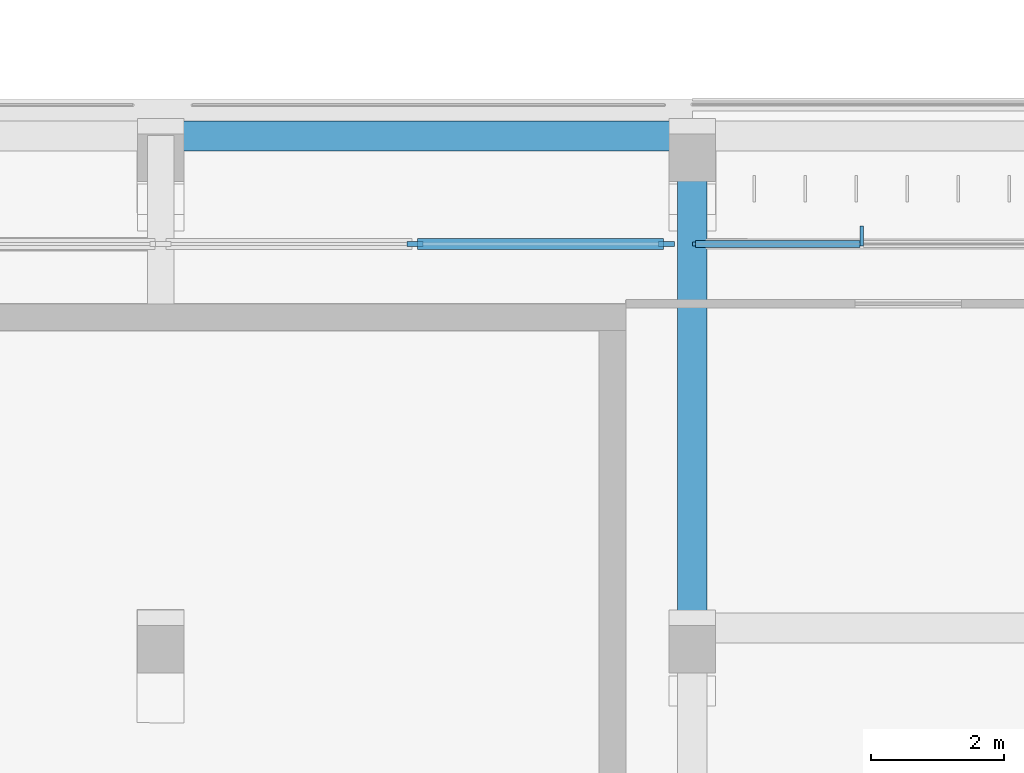
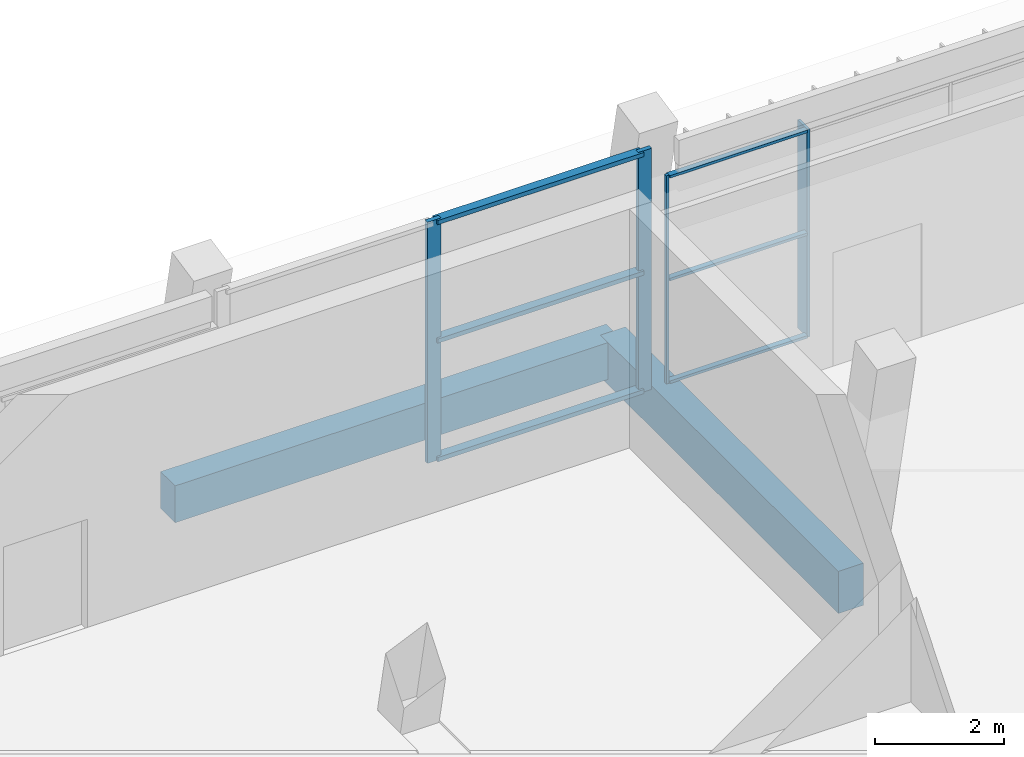
# One storey, part 11 of 74: 10 members, 2 beams, 2 elements without a shape of their own.
"""IFC4 building model written with IfcOpenShell, lengths in metres."""

from ifc_helpers import new_model, si_unit, direction, frame, origin, origin_2d, place, context, subcontext, project, spatial, rectangle, extrude, material, material_profile, profile_set, type_object, element, aggregate, save


model = new_model("IFC4")

# Units and contexts
model_context = context("Model", 3, precision=1e-05, world=origin(), true_north=direction((0.0, 1.0)))
body_context = subcontext(model_context, "Body", "Model", "MODEL_VIEW")
ifc_project = project(units=[si_unit("LENGTHUNIT", "METRE"), si_unit("AREAUNIT", "SQUARE_METRE"), si_unit("VOLUMEUNIT", "CUBIC_METRE"), si_unit("PLANEANGLEUNIT", "RADIAN"), si_unit("MASSUNIT", "GRAM", prefix="KILO")], contexts=[model_context])

# Site, building, storey
site_placement = place(None, origin())
site = spatial("IfcSite", under=ifc_project, at=site_placement, CompositionType="ELEMENT")
building_placement = place(site_placement, origin())
building = spatial("IfcBuilding", under=site, at=building_placement, Name="Lantern Court Media Centre", CompositionType="ELEMENT")
storey_placement = place(building_placement, frame((0.0, 0.0, 19.199951171875)))
storey = spatial("IfcBuildingStorey", under=building, at=storey_placement, Name="L04", CompositionType="ELEMENT", Elevation=19.199951171875)

# Curtain wall, members
ifc_material_1 = material(Name="Curtain wall bay 2400")
curtain_wall_type_1 = type_object("IfcCurtainWallType", Name="Curtain wall bay 2400", PredefinedType="NOTDEFINED", material=ifc_material_1)
curtain_wall_1_placement = place(storey_placement, origin())
curtain_wall_1 = element("IfcCurtainWall", 1, at=curtain_wall_1_placement, inside=storey, type_object=curtain_wall_type_1, Name="Curtain wall S inner L04", PredefinedType="NOTDEFINED")
ifc_material_2 = material(Name="Anodised aluminium", Category="aluminium")
ifc_material_profile_1 = material_profile(ifc_material_2, rectangle(XDim=0.300048828125, YDim=0.050048828125, at=origin_2d()), Name="AL 50x300")
ifc_profile_set_1 = profile_set([ifc_material_profile_1], Name="Anodised aluminium")
member_type_1 = type_object("IfcMemberType", Name="Curtain wall mullion 50x300", PredefinedType="MULLION", material=ifc_profile_set_1)
member_1_placement = place(storey_placement, frame((66.550048828125, 57.969970703125, 0.0), z_axis=(0.0, 0.0, 1.0), x_axis=(0.0, 1.0, 0.0)))
member_1 = element("IfcMember", 2, at=member_1_placement, type_object=member_type_1, Name="CW2 mullion 2", PredefinedType="MULLION", context=body_context, shape_type="SweptSolid", body=[
    extrude(rectangle(XDim=0.300048828125, YDim=0.050048828125, at=origin_2d()), origin(), (0.0, 0.0, 1.0), 3.949951171875),
])
ifc_material_profile_2 = material_profile(ifc_material_2, rectangle(XDim=0.06005859375, YDim=0.050048828125, at=origin_2d()), Name="AL 50x60")
ifc_profile_set_2 = profile_set([ifc_material_profile_2], Name="Anodised aluminium")
member_type_2 = type_object("IfcMemberType", Name="Curtain wall mullion 50x60", PredefinedType="MULLION", material=ifc_profile_set_2)
member_2_placement = place(storey_placement, frame((64.02490234375, 57.85009765625, 0.0), z_axis=(0.0, 0.0, 1.0), x_axis=(0.0, 1.0, 0.0)))
member_2 = element("IfcMember", 3, at=member_2_placement, type_object=member_type_2, Name="CW2 mullion 1", PredefinedType="MULLION", context=body_context, shape_type="SweptSolid", body=[
    extrude(rectangle(XDim=0.06005859375, YDim=0.050048828125, at=origin_2d()), origin(), (0.0, 0.0, 1.0), 3.949951171875),
])

ifc_material_3 = material(Name="Curtain wall bay 4000")
curtain_wall_type_2 = type_object("IfcCurtainWallType", Name="Curtain wall bay 4000", PredefinedType="NOTDEFINED", material=ifc_material_3)
curtain_wall_2_placement = place(storey_placement, origin())
curtain_wall_2 = element("IfcCurtainWall", 4, at=curtain_wall_2_placement, inside=storey, type_object=curtain_wall_type_2, Name="Curtain wall S inner L04", PredefinedType="NOTDEFINED")
ifc_material_profile_3 = material_profile(ifc_material_2, rectangle(XDim=0.080078125, YDim=0.239990234375, at=origin_2d()), Name="AL 80x240")
ifc_profile_set_3 = profile_set([ifc_material_profile_3], Name="Anodised aluminium")
member_type_3 = type_object("IfcMemberType", Name="Curtain wall mullion 80x240", PredefinedType="MULLION", material=ifc_profile_set_3)
member_3_placement = place(storey_placement, frame((59.824951171875, 57.85009765625, 0.0), z_axis=(0.0, 0.0, 1.0), x_axis=(0.0, 1.0, 0.0)))
member_3 = element("IfcMember", 5, at=member_3_placement, type_object=member_type_3, Name="CW3 mullion 2", PredefinedType="MULLION", context=body_context, shape_type="SweptSolid", body=[
    extrude(rectangle(XDim=0.080078125, YDim=0.239990234375, at=origin_2d()), origin(), (0.0, 0.0, 1.0), 4.580078125),
])
member_4_placement = place(storey_placement, frame((63.610107421875, 57.85009765625, 0.0), z_axis=(0.0, 0.0, 1.0), x_axis=(0.0, 1.0, 0.0)))
member_4 = element("IfcMember", 6, at=member_4_placement, type_object=member_type_3, Name="CW3 mullion 3", PredefinedType="MULLION", context=body_context, shape_type="SweptSolid", body=[
    extrude(rectangle(XDim=0.080078125, YDim=0.239990234375, at=origin_2d()), origin(), (0.0, 0.0, 1.0), 4.580078125),
])

# Member
ifc_material_profile_4 = material_profile(ifc_material_2, rectangle(XDim=0.10009765625, YDim=0.050048828125, at=origin_2d()), Name="AL 50x100")
ifc_profile_set_4 = profile_set([ifc_material_profile_4], Name="Anodised aluminium")
member_type_4 = type_object("IfcMemberType", Name="Curtain wall transom 100x50", PredefinedType="USERDEFINED", material=ifc_profile_set_4)
member_5_placement = place(storey_placement, frame((64.050048828125, 57.85009765625, 0.025146484375), z_axis=(1.0, 0.0, 0.0), x_axis=(0.0, 1.0, 0.0)))
member_5 = element("IfcMember", 7, at=member_5_placement, type_object=member_type_4, Name="CW2 transom 1.1", ObjectType="TRANSOM", PredefinedType="USERDEFINED", context=body_context, shape_type="SweptSolid", body=[
    extrude(rectangle(XDim=0.10009765625, YDim=0.050048828125, at=origin_2d()), origin(), (0.0, 0.0, 1.0), 2.474853515625),
])

member_6_placement = place(storey_placement, frame((64.050048828125, 57.85009765625, 1.97509765625), z_axis=(1.0, 0.0, 0.0), x_axis=(0.0, 1.0, 0.0)))
member_6 = element("IfcMember", 8, at=member_6_placement, type_object=member_type_4, Name="CW2 transom 1.2", ObjectType="TRANSOM", PredefinedType="USERDEFINED", context=body_context, shape_type="SweptSolid", body=[
    extrude(rectangle(XDim=0.10009765625, YDim=0.050048828125, at=origin_2d()), origin(), (0.0, 0.0, 1.0), 2.474853515625),
])

member_7_placement = place(storey_placement, frame((64.050048828125, 57.85009765625, 3.925048828125), z_axis=(1.0, 0.0, 0.0), x_axis=(0.0, 1.0, 0.0)))
member_7 = element("IfcMember", 9, at=member_7_placement, type_object=member_type_4, Name="CW2 transom 1.3", ObjectType="TRANSOM", PredefinedType="USERDEFINED", context=body_context, shape_type="SweptSolid", body=[
    extrude(rectangle(XDim=0.10009765625, YDim=0.050048828125, at=origin_2d()), origin(), (0.0, 0.0, 1.0), 2.474853515625),
])

aggregate(curtain_wall_1, [member_2, member_1, member_5, member_6, member_7])

ifc_material_profile_5 = material_profile(ifc_material_2, rectangle(XDim=0.159912109375, YDim=0.080078125, at=origin_2d()), Name="AL 80x160")
ifc_profile_set_5 = profile_set([ifc_material_profile_5], Name="Anodised aluminium")
member_type_5 = type_object("IfcMemberType", Name="Curtain wall transom 160x80", PredefinedType="USERDEFINED", material=ifc_profile_set_5)
member_8_placement = place(storey_placement, frame((59.864990234375, 57.85009765625, 0.0400390625), z_axis=(1.0, 0.0, 0.0), x_axis=(0.0, 1.0, 0.0)))
member_8 = element("IfcMember", 10, at=member_8_placement, type_object=member_type_5, Name="CW3 transom 2.1", ObjectType="TRANSOM", PredefinedType="USERDEFINED", context=body_context, shape_type="SweptSolid", body=[
    extrude(rectangle(XDim=0.159912109375, YDim=0.080078125, at=origin_2d()), origin(), (0.0, 0.0, 1.0), 3.705078125),
])

member_9_placement = place(storey_placement, frame((59.864990234375, 57.85009765625, 2.2900390625), z_axis=(1.0, 0.0, 0.0), x_axis=(0.0, 1.0, 0.0)))
member_9 = element("IfcMember", 11, at=member_9_placement, type_object=member_type_5, Name="CW3 transom 2.2", ObjectType="TRANSOM", PredefinedType="USERDEFINED", context=body_context, shape_type="SweptSolid", body=[
    extrude(rectangle(XDim=0.159912109375, YDim=0.080078125, at=origin_2d()), origin(), (0.0, 0.0, 1.0), 3.705078125),
])

member_10_placement = place(storey_placement, frame((59.864990234375, 57.85009765625, 4.5400390625), z_axis=(1.0, 0.0, 0.0), x_axis=(0.0, 1.0, 0.0)))
member_10 = element("IfcMember", 12, at=member_10_placement, type_object=member_type_5, Name="CW3 transom 2.3", ObjectType="TRANSOM", PredefinedType="USERDEFINED", context=body_context, shape_type="SweptSolid", body=[
    extrude(rectangle(XDim=0.159912109375, YDim=0.080078125, at=origin_2d()), origin(), (0.0, 0.0, 1.0), 3.705078125),
])

aggregate(curtain_wall_2, [member_3, member_4, member_8, member_9, member_10])

# Beams
ifc_material_4 = material(Name="Concrete C35", Category="concrete")
ifc_material_profile_6 = material_profile(ifc_material_4, rectangle(XDim=0.449951171875, YDim=0.699951171875, at=origin_2d()), Name="RC 450x700")
ifc_profile_set_6 = profile_set([ifc_material_profile_6], Name="Concrete C35")
beam_type_1 = type_object("IfcBeamType", Name="RC BEAM 450x700", PredefinedType="BEAM", material=ifc_profile_set_6)
beam_1_placement = place(storey_placement, frame((56.0, 59.472900390625, -0.349853515625), z_axis=(1.0, 0.0, 0.0), x_axis=(0.0, 1.0, 0.0)))
element("IfcBeam", 13, at=beam_1_placement, inside=storey, type_object=beam_type_1, Name="LB-S-L04-2-4", PredefinedType="BEAM", context=body_context, shape_type="SweptSolid", body=[
    extrude(rectangle(XDim=0.449951171875, YDim=0.699951171875, at=origin_2d()), origin(), (0.0, 0.0, 1.0), 8.0),
])
ifc_material_profile_7 = material_profile(ifc_material_4, rectangle(XDim=0.449951171875, YDim=0.800048828125, at=origin_2d()), Name="RC 450x800")
ifc_profile_set_7 = profile_set([ifc_material_profile_7], Name="Concrete C35")
beam_type_2 = type_object("IfcBeamType", Name="RC BEAM 450x800", PredefinedType="BEAM", material=ifc_profile_set_7)
beam_2_placement = place(storey_placement, frame((64.0, 52.083251953125, -0.39990234375), z_axis=(0.0, 1.0, 0.0), x_axis=(-1.0, 0.0, 0.0)))
element("IfcBeam", 14, at=beam_2_placement, inside=storey, type_object=beam_type_2, Name="TB-S-L04-5-2", PredefinedType="BEAM", context=body_context, shape_type="SweptSolid", body=[
    extrude(rectangle(XDim=0.449951171875, YDim=0.800048828125, at=origin_2d()), origin(), (0.0, 0.0, 1.0), 7.400146484375),
])

save(model, "model.ifc")
